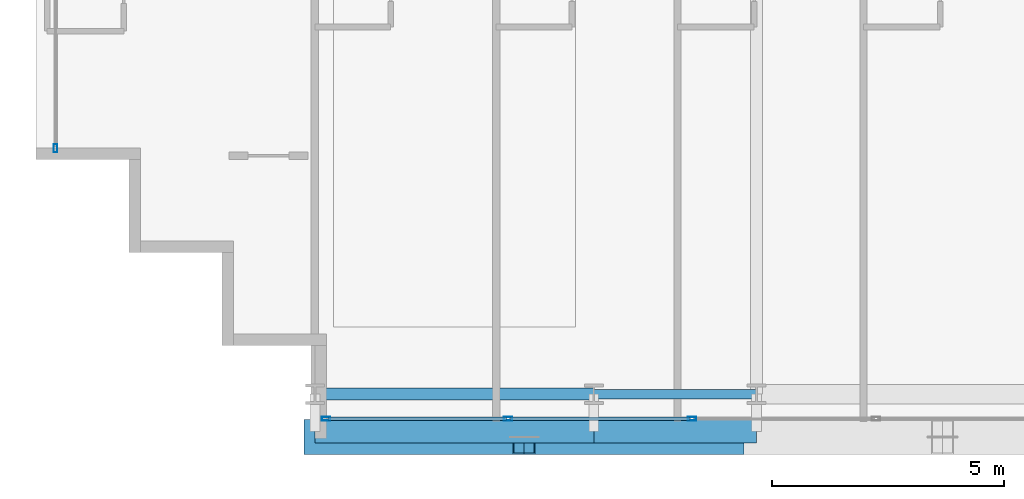
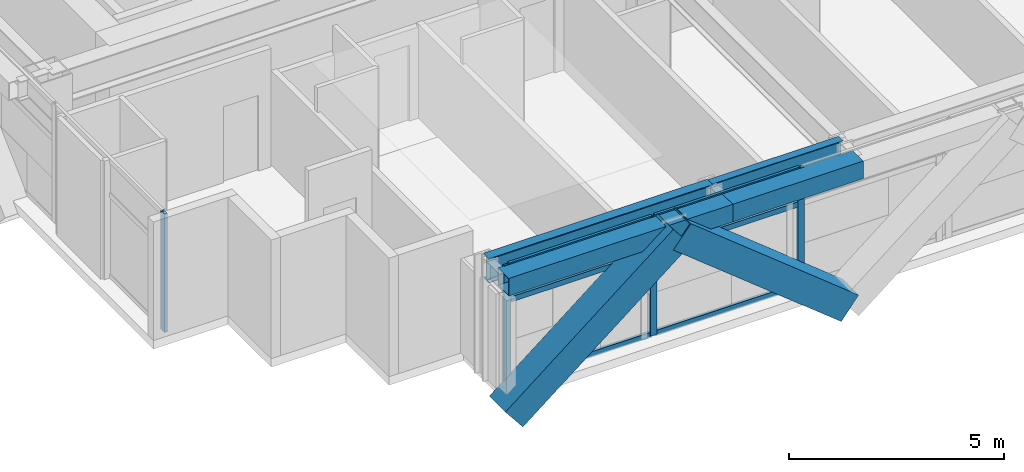
# One storey, part 2 of 36: 12 members, 4 beams, 2 elements without a shape of their own.
"""IFC4 building model written with IfcOpenShell, lengths in metres."""

from ifc_helpers import new_model, si_unit, direction, frame, origin, origin_2d, place, context, subcontext, project, spatial, hollow_rectangle, i_section, extrude, source, transform, mapped, material, layer, layer_set, material_profile, profile_set, type_object, element, aggregate, save


model = new_model("IFC4")

# Units and contexts
model_context = context("Model", 3, precision=1e-05, world=origin(), true_north=direction((0.0, 1.0)))
body_context = subcontext(model_context, "Body", "Model", "MODEL_VIEW")
ifc_project = project(units=[si_unit("LENGTHUNIT", "METRE"), si_unit("AREAUNIT", "SQUARE_METRE"), si_unit("VOLUMEUNIT", "CUBIC_METRE"), si_unit("PLANEANGLEUNIT", "RADIAN"), si_unit("MASSUNIT", "GRAM", prefix="KILO")], contexts=[model_context])

# Site, building, storey
site_placement = place(None, origin())
site = spatial("IfcSite", under=ifc_project, at=site_placement, CompositionType="ELEMENT")
building_placement = place(site_placement, origin())
building = spatial("IfcBuilding", under=site, at=building_placement, Name="Ocotamira Hotel", CompositionType="ELEMENT")
storey_placement = place(building_placement, frame((0.0, 0.0, 133.199951171875)))
storey = spatial("IfcBuildingStorey", under=building, at=storey_placement, Name="L33", CompositionType="ELEMENT", Elevation=133.199951171875)

# Beams
ifc_material_1 = material(Name="Steel ASTM A992 Grade 50", Category="steel")
ifc_material_profile_1 = material_profile(ifc_material_1, i_section(OverallWidth=0.256103515625, OverallDepth=0.693115234375, WebThickness=0.014404296875, FlangeThickness=0.023681640625, FilletRadius=0.01611328125, at=origin_2d()), Name="W27X114")
ifc_profile_set_1 = profile_set([ifc_material_profile_1], Name="Steel ASTM A992 Grade 50")
beam_type_1 = type_object("IfcBeamType", Name="BM-PRIM-W27X114", PredefinedType="BEAM", material=ifc_profile_set_1)
shared_shape_1 = source(origin(), body_context, "Body", "SweptSolid", [
    extrude(i_section(OverallWidth=0.256103515625, OverallDepth=0.693115234375, WebThickness=0.014404296875, FlangeThickness=0.023681640625, FilletRadius=0.01611328125, at=origin_2d()), origin(), (0.0, 0.0, 1.0), 6.0),
])
beam_1_placement = place(storey_placement, frame((14.0, 2.949951171875, 3.013427734375), z_axis=(1.0, 0.0, 0.0), x_axis=(0.0, 1.0, 0.0)))
element("IfcBeam", 1, at=beam_1_placement, inside=storey, type_object=beam_type_1, Name="L33 Girder Y2.95 X14-20", PredefinedType="BEAM", context=body_context, shape_type="MappedRepresentation", body=[
    mapped(shared_shape_1, transform((0.0, 0.0, 0.0), scale=1.0)),
])
ifc_material_profile_2 = material_profile(ifc_material_1, i_section(OverallWidth=0.2099609375, OverallDepth=0.537109375, WebThickness=0.010986328125, FlangeThickness=0.017333984375, FilletRadius=0.012939453125, at=origin_2d()), Name="W21X68")
ifc_profile_set_2 = profile_set([ifc_material_profile_2], Name="Steel ASTM A992 Grade 50")
beam_type_2 = type_object("IfcBeamType", Name="BM-SEC-W21X68", PredefinedType="JOIST", material=ifc_profile_set_2)
shared_shape_2 = source(origin(), body_context, "Body", "SweptSolid", [
    extrude(i_section(OverallWidth=0.2099609375, OverallDepth=0.537109375, WebThickness=0.010986328125, FlangeThickness=0.017333984375, FilletRadius=0.012939453125, at=origin_2d()), origin(), (0.0, 0.0, 1.0), 3.5),
])
beam_2_placement = place(storey_placement, frame((20.0, 2.949951171875, 3.091552734375), z_axis=(1.0, 0.0, 0.0), x_axis=(0.0, 1.0, 0.0)))
element("IfcBeam", 2, at=beam_2_placement, inside=storey, type_object=beam_type_2, Name="L33 Girder Y2.95 X20-23.5", PredefinedType="JOIST", context=body_context, shape_type="MappedRepresentation", body=[
    mapped(shared_shape_2, transform((0.0, 0.0, 0.0), scale=1.0)),
])
ifc_material_2 = material(Name="Steel ASTM A500 Grade C", Category="steel")
ifc_material_profile_3 = material_profile(ifc_material_2, hollow_rectangle(XDim=0.5, YDim=0.5, WallThickness=0.02001953125, at=origin_2d()), Name="HSS500X500X20")
ifc_profile_set_3 = profile_set([ifc_material_profile_3], Name="Steel ASTM A500 Grade C")
beam_type_3 = type_object("IfcBeamType", Name="BM-SPAN-HSS500", PredefinedType="USERDEFINED", material=ifc_profile_set_3)
shared_shape_3 = source(origin(), body_context, "Body", "SweptSolid", [
    extrude(hollow_rectangle(XDim=0.5, YDim=0.5, WallThickness=0.02001953125, at=origin_2d()), origin(), (0.0, 0.0, 1.0), 6.0),
])
beam_3_placement = place(storey_placement, frame((14.0, 2.14990234375, 3.110107421875), z_axis=(1.0, 0.0, 0.0), x_axis=(0.0, 1.0, 0.0)))
element("IfcBeam", 3, at=beam_3_placement, inside=storey, type_object=beam_type_3, Name="L33 Edge Spandrel S X14-20", ObjectType="SPANDREL", PredefinedType="USERDEFINED", context=body_context, shape_type="MappedRepresentation", body=[
    mapped(shared_shape_3, transform((0.0, 0.0, 0.0), scale=1.0)),
])
shared_shape_4 = source(origin(), body_context, "Body", "SweptSolid", [
    extrude(hollow_rectangle(XDim=0.5, YDim=0.5, WallThickness=0.02001953125, at=origin_2d()), origin(), (0.0, 0.0, 1.0), 3.5),
])
beam_4_placement = place(storey_placement, frame((20.0, 2.14990234375, 3.110107421875), z_axis=(1.0, 0.0, 0.0), x_axis=(0.0, 1.0, 0.0)))
element("IfcBeam", 4, at=beam_4_placement, inside=storey, type_object=beam_type_3, Name="L33 Edge Spandrel S X20-23.5", ObjectType="SPANDREL", PredefinedType="USERDEFINED", context=body_context, shape_type="MappedRepresentation", body=[
    mapped(shared_shape_4, transform((0.0, 0.0, 0.0), scale=1.0)),
])

# Members
ifc_material_3 = material(Name="Pale-metal coated steel ASTM A913 Grade 65", Category="steel")
ifc_material_profile_4 = material_profile(ifc_material_3, hollow_rectangle(XDim=0.75, YDim=0.75, WallThickness=0.028076171875, at=origin_2d()), Name="BOX750X750X28")
ifc_profile_set_4 = profile_set([ifc_material_profile_4], Name="Pale-metal coated steel ASTM A913 Grade 65")
member_type_1 = type_object("IfcMemberType", Name="MEM-EXO-BOX750", PredefinedType="BRACE", material=ifc_profile_set_4)
shared_shape_5 = source(origin(), body_context, "Body", "SweptSolid", [
    extrude(hollow_rectangle(XDim=0.75, YDim=0.75, WallThickness=0.028076171875, at=origin_2d()), origin(), (0.0, 0.0, 1.0), 5.762939453125),
])
for number, where, z_axis, x_axis, name in (
    (5, (14.0, 2.030029296875, -0.489990234375), (0.780860543151, 0.0, 0.624705380279), (0.0, 1.0, 0.0), "L33 Exoskeleton Diagrid S0.1"),
    (6, (23.0, 2.030029296875, -0.489990234375), (-0.780860543151, 0.0, 0.624705380279), (0.0, -1.0, 0.0), "L33 Exoskeleton Diagrid S0.2"),
):
    element("IfcMember", number, at=place(storey_placement, frame(where, z_axis=z_axis, x_axis=x_axis)), inside=storey, type_object=member_type_1, Name=name, PredefinedType="BRACE", context=body_context, shape_type="MappedRepresentation", body=[
        mapped(shared_shape_5, transform((0.0, 0.0, 0.0), scale=1.0)),
    ])

# Curtain wall, members
ifc_material_4 = material(Name="Anodised pale-metal aluminium and solar glass", Category="aluminium")
ifc_layer = layer(ifc_material_4, 0.179931640625)
ifc_layer_set = layer_set([ifc_layer], Name="Anodised pale-metal aluminium and solar glass")
curtain_wall_type = type_object("IfcCurtainWallType", Name="CW-SYS3-Z2", PredefinedType="NOTDEFINED", material=ifc_layer_set)
curtain_wall_1_placement = place(storey_placement, origin())
curtain_wall_1 = element("IfcCurtainWall", 7, at=curtain_wall_1_placement, inside=storey, type_object=curtain_wall_type, Name="L33 Curtain Wall CW-3 CW-L33-S1", PredefinedType="NOTDEFINED")
ifc_material_5 = material(Name="Anodised pale-metal aluminium 6063-T6", Category="aluminium")
ifc_material_profile_5 = material_profile(ifc_material_5, hollow_rectangle(XDim=0.074951171875, YDim=0.14990234375, WallThickness=0.006103515625, at=origin_2d()), Name="HSS150X75X6")
ifc_profile_set_5 = profile_set([ifc_material_profile_5], Name="Anodised pale-metal aluminium 6063-T6")
member_type_2 = type_object("IfcMemberType", Name="CWT-150X75", PredefinedType="USERDEFINED", material=ifc_profile_set_5)
shared_shape_6 = source(origin(), body_context, "Body", "SweptSolid", [
    extrude(hollow_rectangle(XDim=0.074951171875, YDim=0.14990234375, WallThickness=0.006103515625, at=origin_2d()), origin(), (0.0, 0.0, 1.0), 3.83544921875),
])
member_1_placement = place(storey_placement, frame((14.280029296875, 2.419921875, 0.03759765625), z_axis=(1.0, 0.0, 0.0), x_axis=(0.0, 1.0, 0.0)))
member_1 = element("IfcMember", 8, at=member_1_placement, type_object=member_type_2, Name="CW-3 transom 1.1", ObjectType="TRANSOM", PredefinedType="USERDEFINED", context=body_context, shape_type="MappedRepresentation", body=[
    mapped(shared_shape_6, transform((0.0, 0.0, 0.0), scale=1.0)),
])
member_2_placement = place(storey_placement, frame((14.280029296875, 2.419921875, 2.35009765625), z_axis=(1.0, 0.0, 0.0), x_axis=(0.0, 1.0, 0.0)))
member_2 = element("IfcMember", 9, at=member_2_placement, type_object=member_type_2, Name="CW-3 transom 1.2", ObjectType="TRANSOM", PredefinedType="USERDEFINED", context=body_context, shape_type="MappedRepresentation", body=[
    mapped(shared_shape_6, transform((0.0, 0.0, 0.0), scale=1.0)),
])
member_3_placement = place(storey_placement, frame((14.280029296875, 2.419921875, 3.322509765625), z_axis=(1.0, 0.0, 0.0), x_axis=(0.0, 1.0, 0.0)))
member_3 = element("IfcMember", 10, at=member_3_placement, type_object=member_type_2, Name="CW-3 transom 1.3", ObjectType="TRANSOM", PredefinedType="USERDEFINED", context=body_context, shape_type="MappedRepresentation", body=[
    mapped(shared_shape_6, transform((0.0, 0.0, 0.0), scale=1.0)),
])
shared_shape_7 = source(origin(), body_context, "Body", "SweptSolid", [
    extrude(hollow_rectangle(XDim=0.074951171875, YDim=0.14990234375, WallThickness=0.006103515625, at=origin_2d()), origin(), (0.0, 0.0, 1.0), 3.87548828125),
])
member_4_placement = place(storey_placement, frame((18.195556640625, 2.419921875, 0.03759765625), z_axis=(1.0, 0.0, 0.0), x_axis=(0.0, 1.0, 0.0)))
member_4 = element("IfcMember", 11, at=member_4_placement, type_object=member_type_2, Name="CW-3 transom 2.1", ObjectType="TRANSOM", PredefinedType="USERDEFINED", context=body_context, shape_type="MappedRepresentation", body=[
    mapped(shared_shape_7, transform((0.0, 0.0, 0.0), scale=1.0)),
])
member_5_placement = place(storey_placement, frame((18.195556640625, 2.419921875, 2.35009765625), z_axis=(1.0, 0.0, 0.0), x_axis=(0.0, 1.0, 0.0)))
member_5 = element("IfcMember", 12, at=member_5_placement, type_object=member_type_2, Name="CW-3 transom 2.2", ObjectType="TRANSOM", PredefinedType="USERDEFINED", context=body_context, shape_type="MappedRepresentation", body=[
    mapped(shared_shape_7, transform((0.0, 0.0, 0.0), scale=1.0)),
])
member_6_placement = place(storey_placement, frame((18.195556640625, 2.419921875, 3.322509765625), z_axis=(1.0, 0.0, 0.0), x_axis=(0.0, 1.0, 0.0)))
member_6 = element("IfcMember", 13, at=member_6_placement, type_object=member_type_2, Name="CW-3 transom 2.3", ObjectType="TRANSOM", PredefinedType="USERDEFINED", context=body_context, shape_type="MappedRepresentation", body=[
    mapped(shared_shape_7, transform((0.0, 0.0, 0.0), scale=1.0)),
])
ifc_material_profile_6 = material_profile(ifc_material_5, hollow_rectangle(XDim=0.080078125, YDim=0.179931640625, WallThickness=0.006103515625, at=origin_2d()), Name="HSS180X80X6")
ifc_profile_set_6 = profile_set([ifc_material_profile_6], Name="Anodised pale-metal aluminium 6063-T6")
member_type_3 = type_object("IfcMemberType", Name="CWM-180X75", PredefinedType="MULLION", material=ifc_profile_set_6)
shared_shape_8 = source(origin(), body_context, "Body", "SweptSolid", [
    extrude(hollow_rectangle(XDim=0.080078125, YDim=0.179931640625, WallThickness=0.006103515625, at=origin_2d()), origin(), (0.0, 0.0, 1.0), 3.360107421875),
])
member_7_placement = place(storey_placement, frame((14.239990234375, 2.419921875, 0.0), z_axis=(0.0, 0.0, 1.0), x_axis=(0.0, 1.0, 0.0)))
member_7 = element("IfcMember", 14, at=member_7_placement, type_object=member_type_3, Name="CW-3 mullion 1", PredefinedType="MULLION", context=body_context, shape_type="MappedRepresentation", body=[
    mapped(shared_shape_8, transform((0.0, 0.0, 0.0), scale=1.0)),
])
member_8_placement = place(storey_placement, frame((18.155517578125, 2.419921875, 0.0), z_axis=(0.0, 0.0, 1.0), x_axis=(0.0, 1.0, 0.0)))
member_8 = element("IfcMember", 15, at=member_8_placement, type_object=member_type_3, Name="CW-3 mullion 2", PredefinedType="MULLION", context=body_context, shape_type="MappedRepresentation", body=[
    mapped(shared_shape_8, transform((0.0, 0.0, 0.0), scale=1.0)),
])
member_9_placement = place(storey_placement, frame((22.111083984375, 2.419921875, 0.0), z_axis=(0.0, 0.0, 1.0), x_axis=(0.0, 1.0, 0.0)))
member_9 = element("IfcMember", 16, at=member_9_placement, type_object=member_type_3, Name="CW-3 mullion 3", PredefinedType="MULLION", context=body_context, shape_type="MappedRepresentation", body=[
    mapped(shared_shape_8, transform((0.0, 0.0, 0.0), scale=1.0)),
])
aggregate(curtain_wall_1, [member_7, member_8, member_9, member_1, member_2, member_3, member_4, member_5, member_6])

# Curtain wall, member
curtain_wall_2_placement = place(storey_placement, origin())
curtain_wall_2 = element("IfcCurtainWall", 17, at=curtain_wall_2_placement, inside=storey, type_object=curtain_wall_type, Name="L33 Curtain Wall CW-3 CW-L33-W", PredefinedType="NOTDEFINED")
member_10_placement = place(storey_placement, frame((8.419921875, 8.239990234375, 0.0), z_axis=(0.0, 0.0, 1.0), x_axis=(-1.0, 0.0, 0.0)))
member_10 = element("IfcMember", 18, at=member_10_placement, type_object=member_type_3, Name="CW-3 mullion 1", PredefinedType="MULLION", context=body_context, shape_type="MappedRepresentation", body=[
    mapped(shared_shape_8, transform((0.0, 0.0, 0.0), scale=1.0)),
])
aggregate(curtain_wall_2, [member_10])

save(model, "model.ifc")
